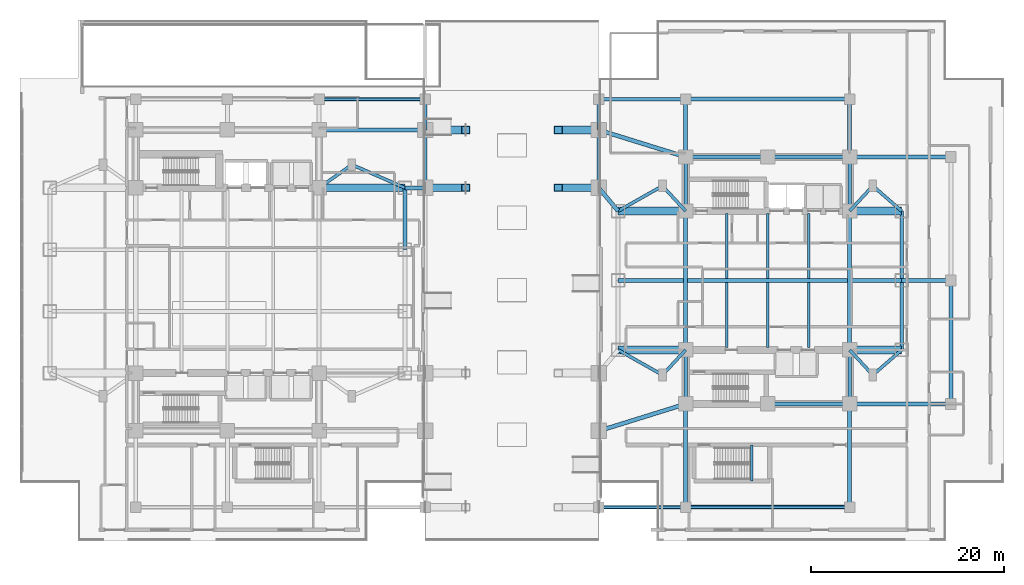
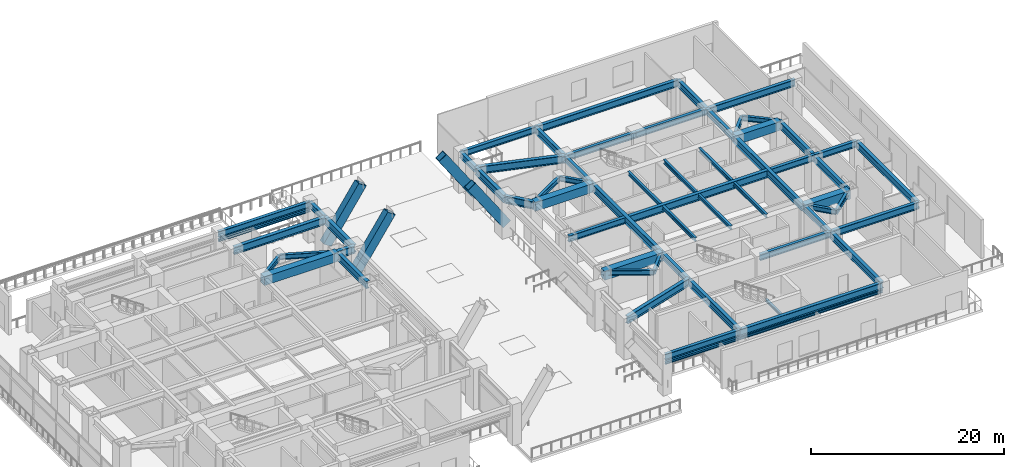
# One storey, part 6 of 27: 62 beams, 4 members.
"""IFC4 building model written with IfcOpenShell, lengths in metres."""

from ifc_helpers import new_model, si_unit, direction, frame, origin, origin_2d, place, context, subcontext, project, spatial, rectangle, hollow_rectangle, i_section, extrude, material, material_profile, profile_set, type_object, element, save


model = new_model("IFC4")

# Units and contexts
model_context = context("Model", 3, precision=1e-05, world=origin(), true_north=direction((0.0, 1.0)))
body_context = subcontext(model_context, "Body", "Model", "MODEL_VIEW")
ifc_project = project(units=[si_unit("LENGTHUNIT", "METRE"), si_unit("AREAUNIT", "SQUARE_METRE"), si_unit("VOLUMEUNIT", "CUBIC_METRE"), si_unit("PLANEANGLEUNIT", "RADIAN"), si_unit("MASSUNIT", "GRAM", prefix="KILO")], contexts=[model_context])

# Site, building, storey
site_placement = place(None, origin())
site = spatial("IfcSite", under=ifc_project, at=site_placement, CompositionType="ELEMENT")
building_placement = place(site_placement, origin())
building = spatial("IfcBuilding", under=site, at=building_placement, Name="Mirazonda Arch Towers", CompositionType="ELEMENT")
storey_placement = place(building_placement, origin())
storey = spatial("IfcBuildingStorey", under=building, at=storey_placement, Name="L00", CompositionType="ELEMENT", Elevation=0.0)

# Beams
ifc_material_1 = material(Name="Steel ASTM A992 Grade 50", Category="steel")
ifc_material_profile_1 = material_profile(ifc_material_1, i_section(OverallWidth=0.25390625, OverallDepth=0.320068359375, WebThickness=0.0087890625, FlangeThickness=0.0146484375, at=origin_2d()), Name="W12X53")
ifc_profile_set_1 = profile_set([ifc_material_profile_1], Name="Steel ASTM A992 Grade 50")
beam_type_1 = type_object("IfcBeamType", Name="BM-EXT-W12X53", PredefinedType="LINTEL", material=ifc_profile_set_1)
beam_1_placement = place(storey_placement, frame((59.0, 4.5, 3.699951171875), z_axis=(1.0, 0.0, 0.0), x_axis=(0.0, 1.0, 0.0)))
element("IfcBeam", 1, at=beam_1_placement, inside=storey, type_object=beam_type_1, Name="L00 Facade Opening Lintel LNT-S4", PredefinedType="LINTEL", context=body_context, shape_type="SweptSolid", body=[
    extrude(i_section(OverallWidth=0.25390625, OverallDepth=0.320068359375, WebThickness=0.0087890625, FlangeThickness=0.0146484375, at=origin_2d()), origin(), (0.0, 0.0, 1.0), 9.0),
])
beam_2_placement = place(storey_placement, frame((68.0, 4.5, 3.699951171875), z_axis=(1.0, 0.0, 0.0), x_axis=(0.0, 1.0, 0.0)))
element("IfcBeam", 2, at=beam_2_placement, inside=storey, type_object=beam_type_1, Name="L00 Facade Opening Lintel LNT-S5", PredefinedType="LINTEL", context=body_context, shape_type="SweptSolid", body=[
    extrude(i_section(OverallWidth=0.25390625, OverallDepth=0.320068359375, WebThickness=0.0087890625, FlangeThickness=0.0146484375, at=origin_2d()), origin(), (0.0, 0.0, 1.0), 17.0),
])
beam_3_placement = place(storey_placement, frame((30.0, 46.800048828125, 3.699951171875), z_axis=(1.0, 0.0, 0.0), x_axis=(0.0, 1.0, 0.0)))
element("IfcBeam", 3, at=beam_3_placement, inside=storey, type_object=beam_type_1, Name="L00 Facade Opening Lintel LNT-N3", PredefinedType="LINTEL", context=body_context, shape_type="SweptSolid", body=[
    extrude(i_section(OverallWidth=0.25390625, OverallDepth=0.320068359375, WebThickness=0.0087890625, FlangeThickness=0.0146484375, at=origin_2d()), origin(), (0.0, 0.0, 1.0), 11.0),
])
ifc_material_profile_2 = material_profile(ifc_material_1, i_section(OverallWidth=0.381103515625, OverallDepth=0.77294921875, WebThickness=0.0166015625, FlangeThickness=0.027099609375, at=origin_2d()), Name="W30X173")
ifc_profile_set_2 = profile_set([ifc_material_profile_2], Name="Steel ASTM A992 Grade 50")
beam_type_2 = type_object("IfcBeamType", Name="BM-EXT-W30X173", PredefinedType="USERDEFINED", material=ifc_profile_set_2)
beam_4_placement = place(storey_placement, frame((59.0, 4.5, 4.493408203125), z_axis=(1.0, 0.0, 0.0), x_axis=(0.0, 1.0, 0.0)))
element("IfcBeam", 4, at=beam_4_placement, inside=storey, type_object=beam_type_2, Name="L00 Floor Beam BM-POD-L00-PS-4", ObjectType="GIRDER", PredefinedType="USERDEFINED", context=body_context, shape_type="SweptSolid", body=[
    extrude(i_section(OverallWidth=0.381103515625, OverallDepth=0.77294921875, WebThickness=0.0166015625, FlangeThickness=0.027099609375, at=origin_2d()), origin(), (0.0, 0.0, 1.0), 9.0),
])
beam_5_placement = place(storey_placement, frame((30.0, 46.800048828125, 4.493408203125), z_axis=(1.0, 0.0, 0.0), x_axis=(0.0, 1.0, 0.0)))
element("IfcBeam", 5, at=beam_5_placement, inside=storey, type_object=beam_type_2, Name="L00 Floor Beam BM-POD-L00-PN-3", ObjectType="GIRDER", PredefinedType="USERDEFINED", context=body_context, shape_type="SweptSolid", body=[
    extrude(i_section(OverallWidth=0.381103515625, OverallDepth=0.77294921875, WebThickness=0.0166015625, FlangeThickness=0.027099609375, at=origin_2d()), origin(), (0.0, 0.0, 1.0), 11.0),
])
beam_6_placement = place(storey_placement, frame((59.0, 46.800048828125, 4.493408203125), z_axis=(1.0, 0.0, 0.0), x_axis=(0.0, 1.0, 0.0)))
element("IfcBeam", 6, at=beam_6_placement, inside=storey, type_object=beam_type_2, Name="L00 Floor Beam BM-POD-L00-PN-4", ObjectType="GIRDER", PredefinedType="USERDEFINED", context=body_context, shape_type="SweptSolid", body=[
    extrude(i_section(OverallWidth=0.381103515625, OverallDepth=0.77294921875, WebThickness=0.0166015625, FlangeThickness=0.027099609375, at=origin_2d()), origin(), (0.0, 0.0, 1.0), 9.0),
])
ifc_material_profile_3 = material_profile(ifc_material_1, i_section(OverallWidth=0.39990234375, OverallDepth=0.85595703125, WebThickness=0.018310546875, FlangeThickness=0.029296875, at=origin_2d()), Name="W33X201")
ifc_profile_set_3 = profile_set([ifc_material_profile_3], Name="Steel ASTM A992 Grade 50")
beam_type_3 = type_object("IfcBeamType", Name="BM-EXT-W33X201", PredefinedType="USERDEFINED", material=ifc_profile_set_3)
for number, where, z_axis, x_axis, name in (
    (7, (90.39990234375, 20.800048828125, 4.451904296875), (0.0, 1.0, 0.0), (-1.0, 0.0, 0.0), "L00 Floor Beam BM-T2-L00-NS-E-20"),
    (8, (90.39990234375, 28.0, 4.451904296875), (0.0, 1.0, 0.0), (-1.0, 0.0, 0.0), "L00 Floor Beam BM-T2-L00-NS-E-28"),
):
    element("IfcBeam", number, at=place(storey_placement, frame(where, z_axis=z_axis, x_axis=x_axis)), inside=storey, type_object=beam_type_3, Name=name, ObjectType="GIRDER", PredefinedType="USERDEFINED", context=body_context, shape_type="SweptSolid", body=[
        extrude(i_section(OverallWidth=0.39990234375, OverallDepth=0.85595703125, WebThickness=0.018310546875, FlangeThickness=0.029296875, at=origin_2d()), origin(), (0.0, 0.0, 1.0), 7.199951171875),
    ])
for number, where, z_axis, x_axis, name in (
    (9, (68.0, 4.5, 4.451904296875), (1.0, 0.0, 0.0), (0.0, 1.0, 0.0), "L00 Floor Beam BM-POD-L00-PS-5"),
    (10, (68.0, 46.800048828125, 4.451904296875), (1.0, 0.0, 0.0), (0.0, 1.0, 0.0), "L00 Floor Beam BM-POD-L00-PN-5"),
):
    element("IfcBeam", number, at=place(storey_placement, frame(where, z_axis=z_axis, x_axis=x_axis)), inside=storey, type_object=beam_type_3, Name=name, ObjectType="GIRDER", PredefinedType="USERDEFINED", context=body_context, shape_type="SweptSolid", body=[
        extrude(i_section(OverallWidth=0.39990234375, OverallDepth=0.85595703125, WebThickness=0.018310546875, FlangeThickness=0.029296875, at=origin_2d()), origin(), (0.0, 0.0, 1.0), 17.0),
    ])
beam_7_placement = place(storey_placement, frame((95.5, 15.199951171875, 4.451904296875), z_axis=(0.0, 1.0, 0.0), x_axis=(-1.0, 0.0, 0.0)))
element("IfcBeam", 11, at=beam_7_placement, inside=storey, type_object=beam_type_3, Name="L00 Floor Beam BM-POD-L00-PE-1", ObjectType="GIRDER", PredefinedType="USERDEFINED", context=body_context, shape_type="SweptSolid", body=[
    extrude(i_section(OverallWidth=0.39990234375, OverallDepth=0.85595703125, WebThickness=0.018310546875, FlangeThickness=0.029296875, at=origin_2d()), origin(), (0.0, 0.0, 1.0), 12.800048828125),
])
ifc_material_profile_4 = material_profile(ifc_material_1, i_section(OverallWidth=0.41796875, OverallDepth=0.927001953125, WebThickness=0.019287109375, FlangeThickness=0.031982421875, at=origin_2d()), Name="W36X231")
ifc_profile_set_4 = profile_set([ifc_material_profile_4], Name="Steel ASTM A992 Grade 50")
beam_type_4 = type_object("IfcBeamType", Name="BM-EXT-W36X231", PredefinedType="USERDEFINED", material=ifc_profile_set_4)
beam_8_placement = place(storey_placement, frame((38.89990234375, 31.199951171875, 4.41650390625), z_axis=(0.0, 1.0, 0.0), x_axis=(-1.0, 0.0, 0.0)))
element("IfcBeam", 12, at=beam_8_placement, inside=storey, type_object=beam_type_4, Name="L00 Floor Beam BM-T1-L00-NS-E-31", ObjectType="GIRDER", PredefinedType="USERDEFINED", context=body_context, shape_type="SweptSolid", body=[
    extrude(i_section(OverallWidth=0.41796875, OverallDepth=0.927001953125, WebThickness=0.019287109375, FlangeThickness=0.031982421875, at=origin_2d()), origin(), (0.0, 0.0, 1.0), 6.400146484375),
])
ifc_material_profile_5 = material_profile(ifc_material_1, i_section(OverallWidth=0.423095703125, OverallDepth=0.947998046875, WebThickness=0.02392578125, FlangeThickness=0.042724609375, at=origin_2d()), Name="W36X302")
ifc_profile_set_5 = profile_set([ifc_material_profile_5], Name="Steel ASTM A992 Grade 50")
beam_type_5 = type_object("IfcBeamType", Name="BM-EXT-W36X302", PredefinedType="USERDEFINED", material=ifc_profile_set_5)
for number, where, z_axis, x_axis, name in (
    (13, (41.0, 37.60009765625, 4.406005859375), (0.0, 1.0, 0.0), (-1.0, 0.0, 0.0), "L00 Floor Beam BM-POD-L00-PA-WL3"),
    (14, (59.0, 37.60009765625, 4.406005859375), (0.0, 1.0, 0.0), (-1.0, 0.0, 0.0), "L00 Floor Beam BM-POD-L00-PA-EL3"),
):
    element("IfcBeam", number, at=place(storey_placement, frame(where, z_axis=z_axis, x_axis=x_axis)), inside=storey, type_object=beam_type_5, Name=name, ObjectType="GIRDER", PredefinedType="USERDEFINED", context=body_context, shape_type="SweptSolid", body=[
        extrude(i_section(OverallWidth=0.423095703125, OverallDepth=0.947998046875, WebThickness=0.02392578125, FlangeThickness=0.042724609375, at=origin_2d()), origin(), (0.0, 0.0, 1.0), 6.0),
    ])
ifc_material_profile_6 = material_profile(ifc_material_1, i_section(OverallWidth=0.257080078125, OverallDepth=0.330078125, WebThickness=0.011962890625, FlangeThickness=0.01953125, at=origin_2d()), Name="W10X68")
ifc_profile_set_6 = profile_set([ifc_material_profile_6], Name="Steel ASTM A992 Grade 50")
beam_type_6 = type_object("IfcBeamType", Name="BM-INT-W10X68", PredefinedType="BEAM", material=ifc_profile_set_6)
beam_9_placement = place(storey_placement, frame((74.85009765625, 7.219970703125, 2.235107421875), z_axis=(0.0, 1.0, 0.0), x_axis=(-1.0, 0.0, 0.0)))
element("IfcBeam", 15, at=beam_9_placement, inside=storey, type_object=beam_type_6, Name="L00 ST-POD2 Landing Trimmer Beam", PredefinedType="BEAM", context=body_context, shape_type="SweptSolid", body=[
    extrude(i_section(OverallWidth=0.257080078125, OverallDepth=0.330078125, WebThickness=0.011962890625, FlangeThickness=0.01953125, at=origin_2d()), origin(), (0.0, 0.0, 1.0), 3.72998046875),
])
ifc_material_profile_7 = material_profile(ifc_material_1, i_section(OverallWidth=0.280029296875, OverallDepth=0.462890625, WebThickness=0.0107421875, FlangeThickness=0.017333984375, at=origin_2d()), Name="W18X76")
ifc_profile_set_7 = profile_set([ifc_material_profile_7], Name="Steel ASTM A992 Grade 50")
beam_type_7 = type_object("IfcBeamType", Name="BM-INT-W18X76", PredefinedType="JOIST", material=ifc_profile_set_7)
for number, where, z_axis, x_axis, name in (
    (16, (72.25, 21.0400390625, 4.6484375), (0.0, 1.0, 0.0), (-1.0, 0.0, 0.0), "L00 Floor Beam BM-T2-L00-J-722-20"),
    (17, (72.25, 28.205078125, 4.6484375), (0.0, 1.0, 0.0), (-1.0, 0.0, 0.0), "L00 Floor Beam BM-T2-L00-J-722-28"),
    (18, (76.5, 21.0400390625, 4.6484375), (0.0, 1.0, 0.0), (-1.0, 0.0, 0.0), "L00 Floor Beam BM-T2-L00-J-765-20"),
    (19, (76.5, 28.205078125, 4.6484375), (0.0, 1.0, 0.0), (-1.0, 0.0, 0.0), "L00 Floor Beam BM-T2-L00-J-765-28"),
    (20, (80.75, 21.0400390625, 4.6484375), (0.0, 1.0, 0.0), (-1.0, 0.0, 0.0), "L00 Floor Beam BM-T2-L00-J-807-20"),
    (21, (80.75, 28.205078125, 4.6484375), (0.0, 1.0, 0.0), (-1.0, 0.0, 0.0), "L00 Floor Beam BM-T2-L00-J-807-28"),
):
    element("IfcBeam", number, at=place(storey_placement, frame(where, z_axis=z_axis, x_axis=x_axis)), inside=storey, type_object=beam_type_7, Name=name, PredefinedType="JOIST", context=body_context, shape_type="SweptSolid", body=[
        extrude(i_section(OverallWidth=0.280029296875, OverallDepth=0.462890625, WebThickness=0.0107421875, FlangeThickness=0.017333984375, at=origin_2d()), origin(), (0.0, 0.0, 1.0), 6.7548828125),
    ])
ifc_material_profile_8 = material_profile(ifc_material_1, i_section(OverallWidth=0.324951171875, OverallDepth=0.615966796875, WebThickness=0.013916015625, FlangeThickness=0.021484375, at=origin_2d()), Name="W24X117")
ifc_profile_set_8 = profile_set([ifc_material_profile_8], Name="Steel ASTM A992 Grade 50")
beam_type_8 = type_object("IfcBeamType", Name="BM-INT-W24X117", PredefinedType="BEAM", material=ifc_profile_set_8)
beam_10_placement = place(storey_placement, frame((33.39990234375, 40.0, 4.572021484375), z_axis=(-0.816971114901, -0.576678591087, 0.0), x_axis=(0.576678591087, -0.816971114901, 0.0)))
element("IfcBeam", 22, at=beam_10_placement, inside=storey, type_object=beam_type_8, Name="L00 Floor Beam BM-T1-L00-PL-NE1", PredefinedType="BEAM", context=body_context, shape_type="SweptSolid", body=[
    extrude(i_section(OverallWidth=0.324951171875, OverallDepth=0.615966796875, WebThickness=0.013916015625, FlangeThickness=0.021484375, at=origin_2d()), origin(), (0.0, 0.0, 1.0), 4.16162109375),
])
beam_11_placement = place(storey_placement, frame((33.39990234375, 40.0, 4.572021484375), z_axis=(0.916545343703, -0.399930785183, 0.0), x_axis=(0.399930785183, 0.916545343703, 0.0)))
element("IfcBeam", 23, at=beam_11_placement, inside=storey, type_object=beam_type_8, Name="L00 Floor Beam BM-T1-L00-PL-NE2", PredefinedType="BEAM", context=body_context, shape_type="SweptSolid", body=[
    extrude(i_section(OverallWidth=0.324951171875, OverallDepth=0.615966796875, WebThickness=0.013916015625, FlangeThickness=0.021484375, at=origin_2d()), origin(), (0.0, 0.0, 1.0), 6.000732421875),
])
beam_12_placement = place(storey_placement, frame((65.60009765625, 18.199951171875, 4.572021484375), z_axis=(0.678251444854, 0.734829897019, 0.0), x_axis=(-0.734829897019, 0.678251444854, 0.0)))
element("IfcBeam", 24, at=beam_12_placement, inside=storey, type_object=beam_type_8, Name="L00 Floor Beam BM-T2-L00-PL-SW1", PredefinedType="BEAM", context=body_context, shape_type="SweptSolid", body=[
    extrude(i_section(OverallWidth=0.324951171875, OverallDepth=0.615966796875, WebThickness=0.013916015625, FlangeThickness=0.021484375, at=origin_2d()), origin(), (0.0, 0.0, 1.0), 3.538330078125),
])
beam_13_placement = place(storey_placement, frame((65.60009765625, 18.199951171875, 4.572021484375), z_axis=(-0.870559396632, 0.492063346467, 0.0), x_axis=(-0.492063346467, -0.870559396632, 0.0)))
element("IfcBeam", 25, at=beam_13_placement, inside=storey, type_object=beam_type_8, Name="L00 Floor Beam BM-T2-L00-PL-SW2", PredefinedType="BEAM", context=body_context, shape_type="SweptSolid", body=[
    extrude(i_section(OverallWidth=0.324951171875, OverallDepth=0.615966796875, WebThickness=0.013916015625, FlangeThickness=0.021484375, at=origin_2d()), origin(), (0.0, 0.0, 1.0), 5.2841796875),
])
beam_14_placement = place(storey_placement, frame((87.39990234375, 18.199951171875, 4.572021484375), z_axis=(-0.678251444854, 0.734829897019, 0.0), x_axis=(-0.734829897019, -0.678251444854, 0.0)))
element("IfcBeam", 26, at=beam_14_placement, inside=storey, type_object=beam_type_8, Name="L00 Floor Beam BM-T2-L00-PL-SE1", PredefinedType="BEAM", context=body_context, shape_type="SweptSolid", body=[
    extrude(i_section(OverallWidth=0.324951171875, OverallDepth=0.615966796875, WebThickness=0.013916015625, FlangeThickness=0.021484375, at=origin_2d()), origin(), (0.0, 0.0, 1.0), 3.538330078125),
])
beam_15_placement = place(storey_placement, frame((87.39990234375, 18.199951171875, 4.572021484375), z_axis=(0.755676908098, 0.654944585876, 0.0), x_axis=(-0.654944585876, 0.755676908098, 0.0)))
element("IfcBeam", 27, at=beam_15_placement, inside=storey, type_object=beam_type_8, Name="L00 Floor Beam BM-T2-L00-PL-SE2", PredefinedType="BEAM", context=body_context, shape_type="SweptSolid", body=[
    extrude(i_section(OverallWidth=0.324951171875, OverallDepth=0.615966796875, WebThickness=0.013916015625, FlangeThickness=0.021484375, at=origin_2d()), origin(), (0.0, 0.0, 1.0), 3.969970703125),
])
beam_16_placement = place(storey_placement, frame((65.60009765625, 37.800048828125, 4.572021484375), z_axis=(0.678251444854, -0.734829897019, 0.0), x_axis=(0.734829897019, 0.678251444854, 0.0)))
element("IfcBeam", 28, at=beam_16_placement, inside=storey, type_object=beam_type_8, Name="L00 Floor Beam BM-T2-L00-PL-NW1", PredefinedType="BEAM", context=body_context, shape_type="SweptSolid", body=[
    extrude(i_section(OverallWidth=0.324951171875, OverallDepth=0.615966796875, WebThickness=0.013916015625, FlangeThickness=0.021484375, at=origin_2d()), origin(), (0.0, 0.0, 1.0), 3.538330078125),
])
beam_17_placement = place(storey_placement, frame((65.60009765625, 37.800048828125, 4.572021484375), z_axis=(-0.870559396632, -0.492063346467, 0.0), x_axis=(0.492063346467, -0.870559396632, 0.0)))
element("IfcBeam", 29, at=beam_17_placement, inside=storey, type_object=beam_type_8, Name="L00 Floor Beam BM-T2-L00-PL-NW2", PredefinedType="BEAM", context=body_context, shape_type="SweptSolid", body=[
    extrude(i_section(OverallWidth=0.324951171875, OverallDepth=0.615966796875, WebThickness=0.013916015625, FlangeThickness=0.021484375, at=origin_2d()), origin(), (0.0, 0.0, 1.0), 5.2841796875),
])
beam_18_placement = place(storey_placement, frame((87.39990234375, 37.800048828125, 4.572021484375), z_axis=(-0.678251444854, -0.734829897019, 0.0), x_axis=(0.734829897019, -0.678251444854, 0.0)))
element("IfcBeam", 30, at=beam_18_placement, inside=storey, type_object=beam_type_8, Name="L00 Floor Beam BM-T2-L00-PL-NE1", PredefinedType="BEAM", context=body_context, shape_type="SweptSolid", body=[
    extrude(i_section(OverallWidth=0.324951171875, OverallDepth=0.615966796875, WebThickness=0.013916015625, FlangeThickness=0.021484375, at=origin_2d()), origin(), (0.0, 0.0, 1.0), 3.538330078125),
])
beam_19_placement = place(storey_placement, frame((87.39990234375, 37.800048828125, 4.572021484375), z_axis=(0.755676908098, -0.654944585876, 0.0), x_axis=(0.654944585876, 0.755676908098, 0.0)))
element("IfcBeam", 31, at=beam_19_placement, inside=storey, type_object=beam_type_8, Name="L00 Floor Beam BM-T2-L00-PL-NE2", PredefinedType="BEAM", context=body_context, shape_type="SweptSolid", body=[
    extrude(i_section(OverallWidth=0.324951171875, OverallDepth=0.615966796875, WebThickness=0.013916015625, FlangeThickness=0.021484375, at=origin_2d()), origin(), (0.0, 0.0, 1.0), 3.969970703125),
])
ifc_material_profile_9 = material_profile(ifc_material_1, i_section(OverallWidth=0.381103515625, OverallDepth=0.77294921875, WebThickness=0.0166015625, FlangeThickness=0.027099609375, at=origin_2d()), Name="W30X173")
ifc_profile_set_9 = profile_set([ifc_material_profile_9], Name="Steel ASTM A992 Grade 50")
beam_type_9 = type_object("IfcBeamType", Name="BM-INT-W30X173", PredefinedType="USERDEFINED", material=ifc_profile_set_9)
for number, where, z_axis, x_axis, name in (
    (32, (76.5, 15.199951171875, 4.493408203125), (1.0, 0.0, 0.0), (0.0, 1.0, 0.0), "L00 Floor Beam BM-T2-L00-CS2"),
    (33, (68.0, 40.800048828125, 4.493408203125), (1.0, 0.0, 0.0), (0.0, 1.0, 0.0), "L00 Floor Beam BM-T2-L00-CN1"),
    (34, (76.5, 40.800048828125, 4.493408203125), (1.0, 0.0, 0.0), (0.0, 1.0, 0.0), "L00 Floor Beam BM-T2-L00-CN2"),
):
    element("IfcBeam", number, at=place(storey_placement, frame(where, z_axis=z_axis, x_axis=x_axis)), inside=storey, type_object=beam_type_9, Name=name, ObjectType="GIRDER", PredefinedType="USERDEFINED", context=body_context, shape_type="SweptSolid", body=[
        extrude(i_section(OverallWidth=0.381103515625, OverallDepth=0.77294921875, WebThickness=0.0166015625, FlangeThickness=0.027099609375, at=origin_2d()), origin(), (0.0, 0.0, 1.0), 8.5),
    ])
for number, where, z_axis, x_axis, name in (
    (35, (68.0, 15.199951171875, 4.493408203125), (0.0, 1.0, 0.0), (-1.0, 0.0, 0.0), "L00 Floor Beam BM-T2-L00-CSW"),
    (36, (85.0, 15.199951171875, 4.493408203125), (0.0, 1.0, 0.0), (-1.0, 0.0, 0.0), "L00 Floor Beam BM-T2-L00-CSE"),
    (37, (68.0, 35.199951171875, 4.493408203125), (0.0, 1.0, 0.0), (-1.0, 0.0, 0.0), "L00 Floor Beam BM-T2-L00-CNW"),
    (38, (85.0, 35.199951171875, 4.493408203125), (0.0, 1.0, 0.0), (-1.0, 0.0, 0.0), "L00 Floor Beam BM-T2-L00-CNE"),
):
    element("IfcBeam", number, at=place(storey_placement, frame(where, z_axis=z_axis, x_axis=x_axis)), inside=storey, type_object=beam_type_9, Name=name, ObjectType="GIRDER", PredefinedType="USERDEFINED", context=body_context, shape_type="SweptSolid", body=[
        extrude(i_section(OverallWidth=0.381103515625, OverallDepth=0.77294921875, WebThickness=0.0166015625, FlangeThickness=0.027099609375, at=origin_2d()), origin(), (0.0, 0.0, 1.0), 5.60009765625),
    ])
beam_20_placement = place(storey_placement, frame((61.0, 28.0, 4.493408203125), z_axis=(1.0, 0.0, 0.0), x_axis=(0.0, 1.0, 0.0)))
element("IfcBeam", 39, at=beam_20_placement, inside=storey, type_object=beam_type_9, Name="L00 Floor Beam BM-T2-L00-GW2", ObjectType="GIRDER", PredefinedType="USERDEFINED", context=body_context, shape_type="SweptSolid", body=[
    extrude(i_section(OverallWidth=0.381103515625, OverallDepth=0.77294921875, WebThickness=0.0166015625, FlangeThickness=0.027099609375, at=origin_2d()), origin(), (0.0, 0.0, 1.0), 6.791015625),
])
beam_21_placement = place(storey_placement, frame((85.208984375, 28.0, 4.493408203125), z_axis=(1.0, 0.0, 0.0), x_axis=(0.0, 1.0, 0.0)))
element("IfcBeam", 40, at=beam_21_placement, inside=storey, type_object=beam_type_9, Name="L00 Floor Beam BM-T2-L00-GE2", ObjectType="GIRDER", PredefinedType="USERDEFINED", context=body_context, shape_type="SweptSolid", body=[
    extrude(i_section(OverallWidth=0.381103515625, OverallDepth=0.77294921875, WebThickness=0.0166015625, FlangeThickness=0.027099609375, at=origin_2d()), origin(), (0.0, 0.0, 1.0), 5.19091796875),
])
for number, where, z_axis, x_axis, name in (
    (41, (41.0, 43.60009765625, 4.493408203125), (0.0, 1.0, 0.0), (-1.0, 0.0, 0.0), "L00 Floor Beam BM-POD-L00-PCN-4"),
    (42, (59.0, 43.60009765625, 4.493408203125), (0.0, 1.0, 0.0), (-1.0, 0.0, 0.0), "L00 Floor Beam BM-POD-L00-PCN-5"),
):
    element("IfcBeam", number, at=place(storey_placement, frame(where, z_axis=z_axis, x_axis=x_axis)), inside=storey, type_object=beam_type_9, Name=name, ObjectType="GIRDER", PredefinedType="USERDEFINED", context=body_context, shape_type="SweptSolid", body=[
        extrude(i_section(OverallWidth=0.381103515625, OverallDepth=0.77294921875, WebThickness=0.0166015625, FlangeThickness=0.027099609375, at=origin_2d()), origin(), (0.0, 0.0, 1.0), 3.199951171875),
    ])
beam_22_placement = place(storey_placement, frame((90.39990234375, 28.0, 4.493408203125), z_axis=(1.0, 0.0, 0.0), x_axis=(0.0, 1.0, 0.0)))
element("IfcBeam", 43, at=beam_22_placement, inside=storey, type_object=beam_type_9, Name="L00 Floor Beam BM-POD-L00-PCE-2", ObjectType="GIRDER", PredefinedType="USERDEFINED", context=body_context, shape_type="SweptSolid", body=[
    extrude(i_section(OverallWidth=0.381103515625, OverallDepth=0.77294921875, WebThickness=0.0166015625, FlangeThickness=0.027099609375, at=origin_2d()), origin(), (0.0, 0.0, 1.0), 5.10009765625),
])
ifc_material_profile_10 = material_profile(ifc_material_1, i_section(OverallWidth=0.39990234375, OverallDepth=0.85595703125, WebThickness=0.018310546875, FlangeThickness=0.029296875, at=origin_2d()), Name="W33X201")
ifc_profile_set_10 = profile_set([ifc_material_profile_10], Name="Steel ASTM A992 Grade 50")
beam_type_10 = type_object("IfcBeamType", Name="BM-INT-W33X201", PredefinedType="USERDEFINED", material=ifc_profile_set_10)
for number, where, z_axis, x_axis, name in (
    (44, (68.0, 4.5, 4.451904296875), (0.0, 1.0, 0.0), (-1.0, 0.0, 0.0), "L00 Floor Beam BM-POD-L00-PCS-6"),
    (45, (85.0, 4.5, 4.451904296875), (0.0, 1.0, 0.0), (-1.0, 0.0, 0.0), "L00 Floor Beam BM-POD-L00-PCS-7"),
):
    element("IfcBeam", number, at=place(storey_placement, frame(where, z_axis=z_axis, x_axis=x_axis)), inside=storey, type_object=beam_type_10, Name=name, ObjectType="GIRDER", PredefinedType="USERDEFINED", context=body_context, shape_type="SweptSolid", body=[
        extrude(i_section(OverallWidth=0.39990234375, OverallDepth=0.85595703125, WebThickness=0.018310546875, FlangeThickness=0.029296875, at=origin_2d()), origin(), (0.0, 0.0, 1.0), 10.699951171875),
    ])
for number, where, z_axis, x_axis, name in (
    (46, (68.0, 40.800048828125, 4.451904296875), (0.0, 1.0, 0.0), (-1.0, 0.0, 0.0), "L00 Floor Beam BM-POD-L00-PCN-6"),
    (47, (85.0, 40.800048828125, 4.451904296875), (0.0, 1.0, 0.0), (-1.0, 0.0, 0.0), "L00 Floor Beam BM-POD-L00-PCN-7"),
):
    element("IfcBeam", number, at=place(storey_placement, frame(where, z_axis=z_axis, x_axis=x_axis)), inside=storey, type_object=beam_type_10, Name=name, ObjectType="GIRDER", PredefinedType="USERDEFINED", context=body_context, shape_type="SweptSolid", body=[
        extrude(i_section(OverallWidth=0.39990234375, OverallDepth=0.85595703125, WebThickness=0.018310546875, FlangeThickness=0.029296875, at=origin_2d()), origin(), (0.0, 0.0, 1.0), 6.0),
    ])
for number, where, z_axis, x_axis, name in (
    (48, (85.0, 15.199951171875, 4.451904296875), (1.0, 0.0, 0.0), (0.0, 1.0, 0.0), "L00 Floor Beam BM-POD-L00-PCE-1"),
    (49, (85.0, 40.800048828125, 4.451904296875), (1.0, 0.0, 0.0), (0.0, 1.0, 0.0), "L00 Floor Beam BM-POD-L00-PCE-3"),
):
    element("IfcBeam", number, at=place(storey_placement, frame(where, z_axis=z_axis, x_axis=x_axis)), inside=storey, type_object=beam_type_10, Name=name, ObjectType="GIRDER", PredefinedType="USERDEFINED", context=body_context, shape_type="SweptSolid", body=[
        extrude(i_section(OverallWidth=0.39990234375, OverallDepth=0.85595703125, WebThickness=0.018310546875, FlangeThickness=0.029296875, at=origin_2d()), origin(), (0.0, 0.0, 1.0), 10.5),
    ])
ifc_material_profile_11 = material_profile(ifc_material_1, i_section(OverallWidth=0.41796875, OverallDepth=0.927001953125, WebThickness=0.019287109375, FlangeThickness=0.031982421875, at=origin_2d()), Name="W36X231")
ifc_profile_set_11 = profile_set([ifc_material_profile_11], Name="Steel ASTM A992 Grade 50")
beam_type_11 = type_object("IfcBeamType", Name="BM-INT-W36X231", PredefinedType="USERDEFINED", material=ifc_profile_set_11)
beam_23_placement = place(storey_placement, frame((68.208984375, 28.0, 4.41650390625), z_axis=(1.0, 0.0, 0.0), x_axis=(0.0, 1.0, 0.0)))
element("IfcBeam", 50, at=beam_23_placement, inside=storey, type_object=beam_type_11, Name="L00 Floor Beam BM-T2-L00-GC2", ObjectType="GIRDER", PredefinedType="USERDEFINED", context=body_context, shape_type="SweptSolid", body=[
    extrude(i_section(OverallWidth=0.41796875, OverallDepth=0.927001953125, WebThickness=0.019287109375, FlangeThickness=0.031982421875, at=origin_2d()), origin(), (0.0, 0.0, 1.0), 16.58203125),
])
for number, where, z_axis, x_axis, name in (
    (51, (68.0, 20.800048828125, 4.41650390625), (0.0, 1.0, 0.0), (-1.0, 0.0, 0.0), "L00 Floor Beam BM-T2-L00-NS-CW-FULL"),
    (52, (85.0, 20.800048828125, 4.41650390625), (0.0, 1.0, 0.0), (-1.0, 0.0, 0.0), "L00 Floor Beam BM-T2-L00-NS-CE-FULL"),
):
    element("IfcBeam", number, at=place(storey_placement, frame(where, z_axis=z_axis, x_axis=x_axis)), inside=storey, type_object=beam_type_11, Name=name, ObjectType="GIRDER", PredefinedType="USERDEFINED", context=body_context, shape_type="SweptSolid", body=[
        extrude(i_section(OverallWidth=0.41796875, OverallDepth=0.927001953125, WebThickness=0.019287109375, FlangeThickness=0.031982421875, at=origin_2d()), origin(), (0.0, 0.0, 1.0), 14.39990234375),
    ])
ifc_material_profile_12 = material_profile(ifc_material_1, i_section(OverallWidth=0.423095703125, OverallDepth=0.947998046875, WebThickness=0.02392578125, FlangeThickness=0.042724609375, at=origin_2d()), Name="W36X302")
ifc_profile_set_12 = profile_set([ifc_material_profile_12], Name="Steel ASTM A992 Grade 50")
beam_type_12 = type_object("IfcBeamType", Name="BM-INT-W36X302", PredefinedType="USERDEFINED", material=ifc_profile_set_12)
beam_24_placement = place(storey_placement, frame((38.89990234375, 37.60009765625, 4.406005859375), z_axis=(1.0, 0.0, 0.0), x_axis=(0.0, 1.0, 0.0)))
element("IfcBeam", 53, at=beam_24_placement, inside=storey, type_object=beam_type_12, Name="L00 Floor Beam BM-POD-L00-PA-W3", ObjectType="GIRDER", PredefinedType="USERDEFINED", context=body_context, shape_type="SweptSolid", body=[
    extrude(i_section(OverallWidth=0.423095703125, OverallDepth=0.947998046875, WebThickness=0.02392578125, FlangeThickness=0.042724609375, at=origin_2d()), origin(), (0.0, 0.0, 1.0), 2.10009765625),
])
beam_25_placement = place(storey_placement, frame((30.0, 43.60009765625, 4.406005859375), z_axis=(1.0, 0.0, 0.0), x_axis=(0.0, 1.0, 0.0)))
element("IfcBeam", 54, at=beam_25_placement, inside=storey, type_object=beam_type_12, Name="L00 Floor Beam BM-POD-L00-PA-W4", ObjectType="GIRDER", PredefinedType="USERDEFINED", context=body_context, shape_type="SweptSolid", body=[
    extrude(i_section(OverallWidth=0.423095703125, OverallDepth=0.947998046875, WebThickness=0.02392578125, FlangeThickness=0.042724609375, at=origin_2d()), origin(), (0.0, 0.0, 1.0), 11.0),
])
beam_26_placement = place(storey_placement, frame((59.0, 12.39990234375, 4.406005859375), z_axis=(0.954855306861, 0.29707127589, 0.0), x_axis=(-0.29707127589, 0.954855306861, 0.0)))
element("IfcBeam", 55, at=beam_26_placement, inside=storey, type_object=beam_type_12, Name="L00 Floor Beam BM-POD-L00-PA-E1", ObjectType="GIRDER", PredefinedType="USERDEFINED", context=body_context, shape_type="SweptSolid", body=[
    extrude(i_section(OverallWidth=0.423095703125, OverallDepth=0.947998046875, WebThickness=0.02392578125, FlangeThickness=0.042724609375, at=origin_2d()), origin(), (0.0, 0.0, 1.0), 9.425537109375),
])
beam_27_placement = place(storey_placement, frame((59.0, 37.60009765625, 4.406005859375), z_axis=(0.640161340286, -0.76824049516, 0.0), x_axis=(0.76824049516, 0.640161340286, 0.0)))
element("IfcBeam", 56, at=beam_27_placement, inside=storey, type_object=beam_type_12, Name="L00 Floor Beam BM-POD-L00-PA-E3", ObjectType="GIRDER", PredefinedType="USERDEFINED", context=body_context, shape_type="SweptSolid", body=[
    extrude(i_section(OverallWidth=0.423095703125, OverallDepth=0.947998046875, WebThickness=0.02392578125, FlangeThickness=0.042724609375, at=origin_2d()), origin(), (0.0, 0.0, 1.0), 3.124267578125),
])
beam_28_placement = place(storey_placement, frame((59.0, 43.60009765625, 4.406005859375), z_axis=(0.954855306861, -0.29707127589, 0.0), x_axis=(0.29707127589, 0.954855306861, 0.0)))
element("IfcBeam", 57, at=beam_28_placement, inside=storey, type_object=beam_type_12, Name="L00 Floor Beam BM-POD-L00-PA-E4", ObjectType="GIRDER", PredefinedType="USERDEFINED", context=body_context, shape_type="SweptSolid", body=[
    extrude(i_section(OverallWidth=0.423095703125, OverallDepth=0.947998046875, WebThickness=0.02392578125, FlangeThickness=0.042724609375, at=origin_2d()), origin(), (0.0, 0.0, 1.0), 9.425537109375),
])
ifc_material_2 = material(Name="Concrete C60/75", Category="concrete")
ifc_material_profile_13 = material_profile(ifc_material_2, rectangle(XDim=0.800048828125, YDim=1.10009765625, at=origin_2d()), Name="RCCB800x1100")
ifc_profile_set_13 = profile_set([ifc_material_profile_13], Name="Concrete C60/75")
beam_type_13 = type_object("IfcBeamType", Name="CB-INT-RCCB800x1100", PredefinedType="SPANDREL", material=ifc_profile_set_13)
beam_29_placement = place(storey_placement, frame((30.0, 37.60009765625, 4.330078125), z_axis=(1.0, 0.0, 0.0), x_axis=(0.0, 1.0, 0.0)))
element("IfcBeam", 58, at=beam_29_placement, inside=storey, type_object=beam_type_13, Name="L00 Floor Beam CB-T1-L00-NE", PredefinedType="SPANDREL", context=body_context, shape_type="SweptSolid", body=[
    extrude(rectangle(XDim=0.800048828125, YDim=1.10009765625, at=origin_2d()), origin(), (0.0, 0.0, 1.0), 8.89990234375),
])
beam_30_placement = place(storey_placement, frame((61.0, 35.199951171875, 4.330078125), z_axis=(1.0, 0.0, 0.0), x_axis=(0.0, 1.0, 0.0)))
element("IfcBeam", 59, at=beam_30_placement, inside=storey, type_object=beam_type_13, Name="L00 Floor Beam CB-T2-L00-NW", PredefinedType="SPANDREL", context=body_context, shape_type="SweptSolid", body=[
    extrude(rectangle(XDim=0.800048828125, YDim=1.10009765625, at=origin_2d()), origin(), (0.0, 0.0, 1.0), 7.0),
])
beam_31_placement = place(storey_placement, frame((85.0, 35.199951171875, 4.330078125), z_axis=(1.0, 0.0, 0.0), x_axis=(0.0, 1.0, 0.0)))
element("IfcBeam", 60, at=beam_31_placement, inside=storey, type_object=beam_type_13, Name="L00 Floor Beam CB-T2-L00-NE", PredefinedType="SPANDREL", context=body_context, shape_type="SweptSolid", body=[
    extrude(rectangle(XDim=0.800048828125, YDim=1.10009765625, at=origin_2d()), origin(), (0.0, 0.0, 1.0), 5.39990234375),
])
beam_32_placement = place(storey_placement, frame((61.0, 20.800048828125, 4.330078125), z_axis=(1.0, 0.0, 0.0), x_axis=(0.0, 1.0, 0.0)))
element("IfcBeam", 61, at=beam_32_placement, inside=storey, type_object=beam_type_13, Name="L00 Floor Beam CB-T2-L00-SW", PredefinedType="SPANDREL", context=body_context, shape_type="SweptSolid", body=[
    extrude(rectangle(XDim=0.800048828125, YDim=1.10009765625, at=origin_2d()), origin(), (0.0, 0.0, 1.0), 7.0),
])
beam_33_placement = place(storey_placement, frame((85.0, 20.800048828125, 4.330078125), z_axis=(1.0, 0.0, 0.0), x_axis=(0.0, 1.0, 0.0)))
element("IfcBeam", 62, at=beam_33_placement, inside=storey, type_object=beam_type_13, Name="L00 Floor Beam CB-T2-L00-SE", PredefinedType="SPANDREL", context=body_context, shape_type="SweptSolid", body=[
    extrude(rectangle(XDim=0.800048828125, YDim=1.10009765625, at=origin_2d()), origin(), (0.0, 0.0, 1.0), 5.39990234375),
])

# Members
ifc_material_3 = material(Name="Steel ASTM A572 Grade 50", Category="steel")
ifc_material_profile_14 = material_profile(ifc_material_3, hollow_rectangle(XDim=0.800048828125, YDim=1.10009765625, WallThickness=0.06005859375, at=origin_2d()), Name="ARCHBOX1100x800x60")
ifc_profile_set_14 = profile_set([ifc_material_profile_14], Name="Steel ASTM A572 Grade 50")
member_type = type_object("IfcMemberType", Name="MBR-INT-ARCHBOX1100x800x60", PredefinedType="CHORD", material=ifc_profile_set_14)
for number, where, z_axis, x_axis, name in (
    (63, (41.0, 37.60009765625, 1.39990234375), (0.56083156562, 0.0, 0.827929921554), (0.0, 1.0, 0.0), "Podium Parabolic Arch Rib 3 Chord 1"),
    (64, (54.800048828125, 37.60009765625, 7.60009765625), (0.56083156562, 0.0, -0.827929921554), (0.0, 1.0, 0.0), "Podium Parabolic Arch Rib 3 Chord 5"),
    (65, (41.0, 43.60009765625, 1.39990234375), (0.56083156562, 0.0, 0.827929921554), (0.0, 1.0, 0.0), "Podium Parabolic Arch Rib 4 Chord 1"),
    (66, (54.800048828125, 43.60009765625, 7.60009765625), (0.56083156562, 0.0, -0.827929921554), (0.0, 1.0, 0.0), "Podium Parabolic Arch Rib 4 Chord 5"),
):
    element("IfcMember", number, at=place(storey_placement, frame(where, z_axis=z_axis, x_axis=x_axis)), inside=storey, type_object=member_type, Name=name, PredefinedType="CHORD", context=body_context, shape_type="SweptSolid", body=[
        extrude(hollow_rectangle(XDim=0.800048828125, YDim=1.10009765625, WallThickness=0.06005859375, at=origin_2d()), origin(), (0.0, 0.0, 1.0), 7.48876953125),
    ])

save(model, "model.ifc")
